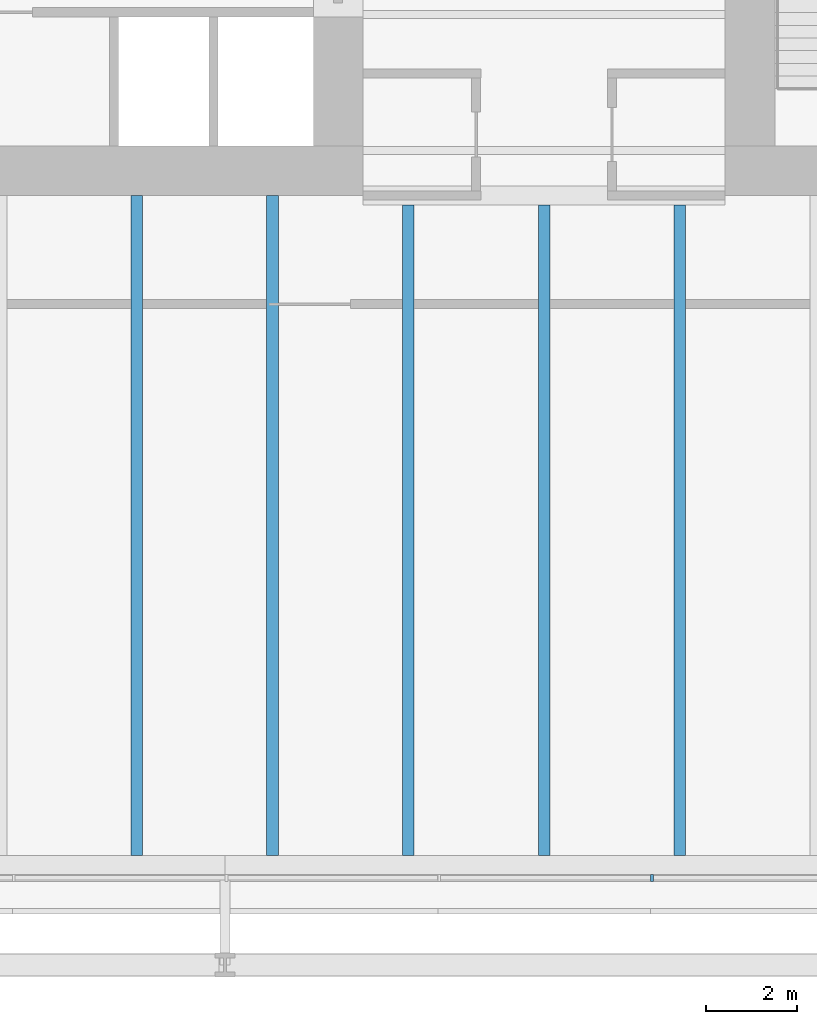
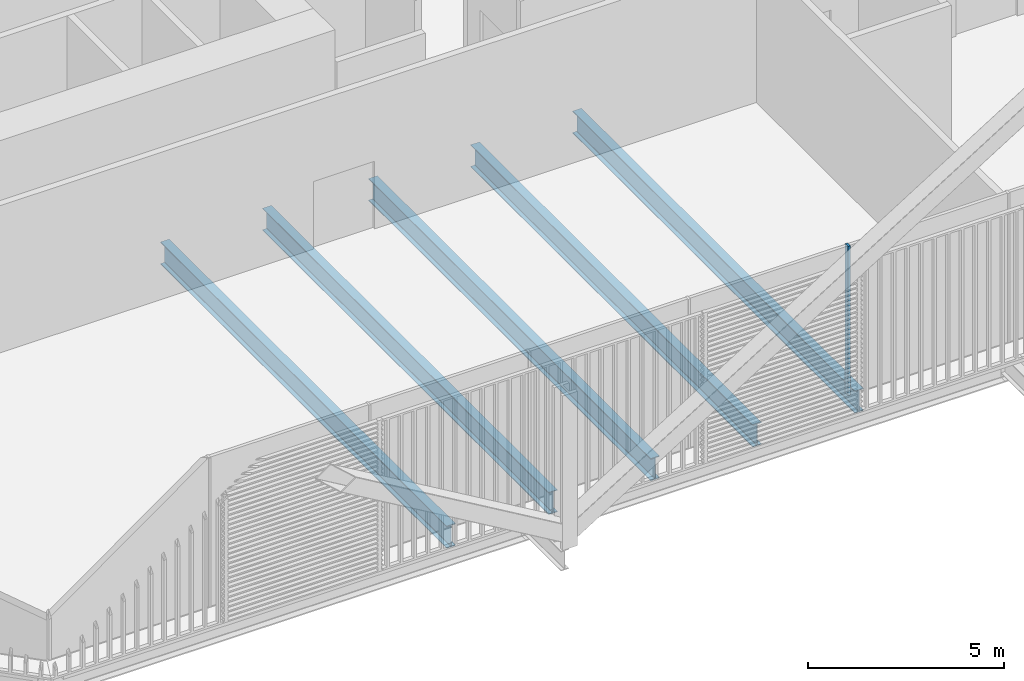
# One storey, part 4 of 22: 5 beams, 1 member, 1 element without a shape of its own.
"""IFC4 building model written with IfcOpenShell, lengths in metres."""

from ifc_helpers import new_model, si_unit, direction, frame, origin, origin_2d, place, context, subcontext, project, spatial, rectangle, i_section, extrude, material, layer, layer_set, material_profile, profile_set, type_object, element, aggregate, save


model = new_model("IFC4")

# Units and contexts
model_context = context("Model", 3, precision=1e-05, world=origin(), true_north=direction((0.0, 1.0)))
body_context = subcontext(model_context, "Body", "Model", "MODEL_VIEW")
ifc_project = project(units=[si_unit("LENGTHUNIT", "METRE"), si_unit("AREAUNIT", "SQUARE_METRE"), si_unit("VOLUMEUNIT", "CUBIC_METRE"), si_unit("PLANEANGLEUNIT", "RADIAN"), si_unit("MASSUNIT", "GRAM", prefix="KILO")], contexts=[model_context])

# Site, building, storey
site_placement = place(None, origin())
site = spatial("IfcSite", under=ifc_project, at=site_placement, CompositionType="ELEMENT")
building_placement = place(site_placement, origin())
building = spatial("IfcBuilding", under=site, at=building_placement, Name="Millrace Tower", CompositionType="ELEMENT")
storey_placement = place(building_placement, frame((0.0, 0.0, 54.5)))
storey = spatial("IfcBuildingStorey", under=building, at=storey_placement, Name="L12", CompositionType="ELEMENT", Elevation=54.5)

# Curtain wall, member
ifc_material_1 = material(Name="Aluminium and glass", Category="aluminium")
ifc_layer = layer(ifc_material_1, 0.14990234375)
ifc_layer_set = layer_set([ifc_layer], Name="Aluminium and glass")
curtain_wall_type = type_object("IfcCurtainWallType", Name="CW-2 data hall insulated curtain wall", PredefinedType="NOTDEFINED", material=ifc_layer_set)
curtain_wall_placement = place(storey_placement, origin())
curtain_wall = element("IfcCurtainWall", 1, at=curtain_wall_placement, inside=storey, type_object=curtain_wall_type, Name="Curtain wall A-F02 L12", PredefinedType="NOTDEFINED")
ifc_material_2 = material(Name="Aluminium", Category="aluminium")
ifc_material_profile_1 = material_profile(ifc_material_2, rectangle(XDim=0.06494140625, YDim=0.14990234375, at=origin_2d()))
ifc_profile_set_1 = profile_set([ifc_material_profile_1], Name="Aluminium")
member_type = type_object("IfcMemberType", Name="CW-2 data hall insulated curtain wall mullion", PredefinedType="MULLION", material=ifc_profile_set_1)
member_placement = place(storey_placement, frame((2.382568359375, -25.074951171875, 0.159912109375), z_axis=(0.0, 0.0, 1.0), x_axis=(1.0, 0.0, 0.0)))
member = element("IfcMember", 2, at=member_placement, type_object=member_type, Name="CW2 mullion A-F02.6", PredefinedType="MULLION", context=body_context, shape_type="SweptSolid", body=[
    extrude(rectangle(XDim=0.06494140625, YDim=0.14990234375, at=origin_2d()), origin(), (0.0, 0.0, 1.0), 4.64013671875),
])
aggregate(curtain_wall, [member])

# Beams
ifc_material_3 = material(Name="Steel ASTM A992 Grade 50", Category="steel")
ifc_material_profile_2 = material_profile(ifc_material_3, i_section(OverallWidth=0.256591796875, OverallDepth=0.693359375, WebThickness=0.014404296875, FlangeThickness=0.023681640625, FilletRadius=0.01513671875, at=origin_2d()))
ifc_profile_set_2 = profile_set([ifc_material_profile_2], Name="Steel ASTM A992 Grade 50")
beam_type = type_object("IfcBeamType", Name="Floor beam W27x114", PredefinedType="JOIST", material=ifc_profile_set_2)
for number, where, z_axis, x_axis, name in (
    (3, (-9.0, -24.578369140625, -0.57177734375), (0.0, 1.0, 0.0), (-1.0, 0.0, 0.0), "BM-A-L12-S1-S045"),
    (4, (-6.0, -24.578369140625, -0.57177734375), (0.0, 1.0, 0.0), (-1.0, 0.0, 0.0), "BM-A-L12-S1-S047"),
):
    element("IfcBeam", number, at=place(storey_placement, frame(where, z_axis=z_axis, x_axis=x_axis)), inside=storey, type_object=beam_type, Name=name, PredefinedType="JOIST", context=body_context, shape_type="SweptSolid", body=[
        extrude(i_section(OverallWidth=0.256591796875, OverallDepth=0.693359375, WebThickness=0.014404296875, FlangeThickness=0.023681640625, FilletRadius=0.01513671875, at=origin_2d()), origin(), (0.0, 0.0, 1.0), 14.578369140625),
    ])
for number, where, z_axis, x_axis, name in (
    (5, (-3.0, -24.578369140625, -0.57177734375), (0.0, 1.0, 0.0), (-1.0, 0.0, 0.0), "BM-A-L12-S1-S049"),
    (6, (0.0, -24.578369140625, -0.57177734375), (0.0, 1.0, 0.0), (-1.0, 0.0, 0.0), "BM-A-L12-S1-S051"),
    (7, (3.0, -24.578369140625, -0.57177734375), (0.0, 1.0, 0.0), (-1.0, 0.0, 0.0), "BM-A-L12-S1-S053"),
):
    element("IfcBeam", number, at=place(storey_placement, frame(where, z_axis=z_axis, x_axis=x_axis)), inside=storey, type_object=beam_type, Name=name, PredefinedType="JOIST", context=body_context, shape_type="SweptSolid", body=[
        extrude(i_section(OverallWidth=0.256591796875, OverallDepth=0.693359375, WebThickness=0.014404296875, FlangeThickness=0.023681640625, FilletRadius=0.01513671875, at=origin_2d()), origin(), (0.0, 0.0, 1.0), 14.3662109375),
    ])

save(model, "model.ifc")
